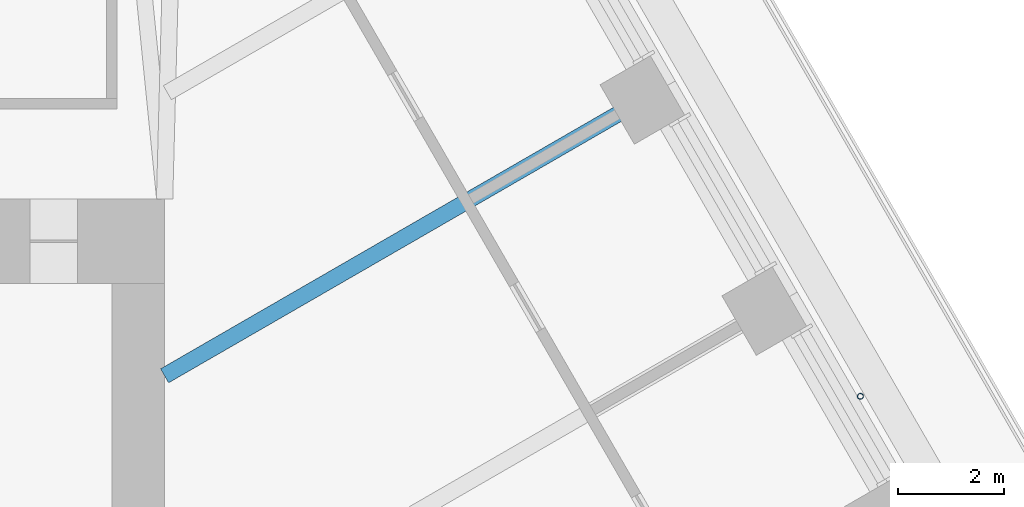
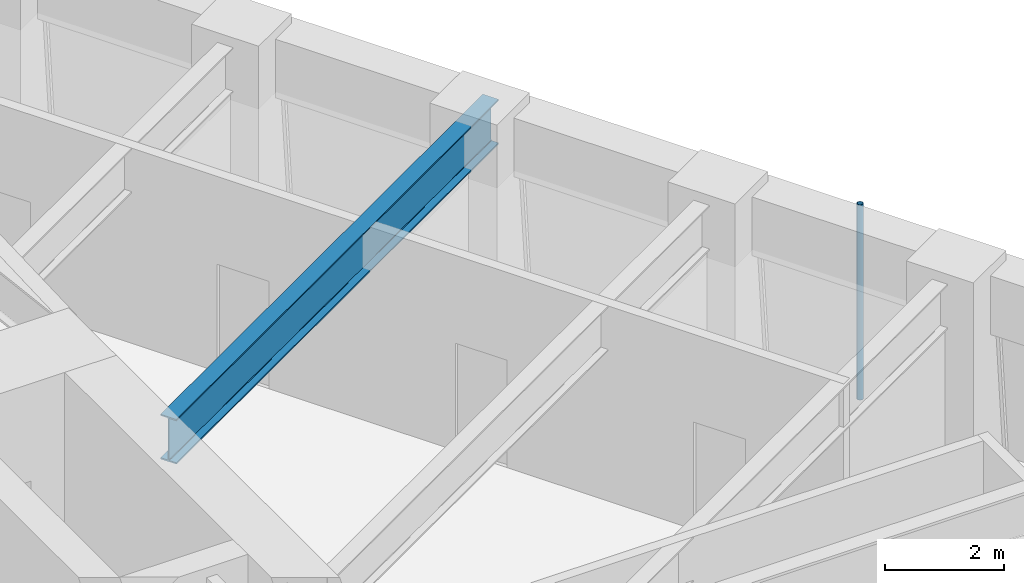
# One storey, part 10 of 20: 1 beam, 1 member.
"""IFC4 building model written with IfcOpenShell, lengths in metres."""

from ifc_helpers import new_model, si_unit, direction, frame, origin, origin_2d, place, context, subcontext, project, spatial, hollow_circle, i_section, extrude, material, material_profile, profile_set, type_object, element, save


model = new_model("IFC4")

# Units and contexts
model_context = context("Model", 3, precision=1e-05, world=origin(), true_north=direction((0.0, 1.0)))
body_context = subcontext(model_context, "Body", "Model", "MODEL_VIEW")
ifc_project = project(units=[si_unit("LENGTHUNIT", "METRE"), si_unit("AREAUNIT", "SQUARE_METRE"), si_unit("VOLUMEUNIT", "CUBIC_METRE"), si_unit("PLANEANGLEUNIT", "RADIAN"), si_unit("MASSUNIT", "GRAM", prefix="KILO")], contexts=[model_context])

# Site, building, storey
site_placement = place(None, origin())
site = spatial("IfcSite", under=ifc_project, at=site_placement, CompositionType="ELEMENT")
building_placement = place(site_placement, origin())
building = spatial("IfcBuilding", under=site, at=building_placement, Name="Tarfa Lantern Tower", CompositionType="ELEMENT")
storey_placement = place(building_placement, frame((0.0, 0.0, 236.5)))
storey = spatial("IfcBuildingStorey", under=building, at=storey_placement, Name="L53", CompositionType="ELEMENT", Elevation=236.5)

# Member
ifc_material_1 = material(Name="Steel S355", Category="steel")
ifc_material_profile_1 = material_profile(ifc_material_1, hollow_circle(Radius=0.05712890625, WallThickness=0.00634765625, at=origin_2d()), Name="CHS114.3x6.3")
ifc_profile_set_1 = profile_set([ifc_material_profile_1], Name="Steel S355")
member_type = type_object("IfcMemberType", Name="TR1 GREEN WALL TRELLIS CHS114.3x6.3", PredefinedType="USERDEFINED", material=ifc_profile_set_1)
member_placement = place(storey_placement, frame((28.682861328125, 8.56005859375, 0.0), z_axis=(0.0, 0.0, 1.0), x_axis=(1.0, 0.0, 0.0)))
element("IfcMember", 1, at=member_placement, inside=storey, type_object=member_type, Name="Trellis post NE 1", ObjectType="TRELLIS", PredefinedType="USERDEFINED", context=body_context, shape_type="SweptSolid", body=[
    extrude(hollow_circle(Radius=0.05712890625, WallThickness=0.00634765625, at=origin_2d()), origin(), (0.0, 0.0, 1.0), 4.0),
])

# Beam
ifc_material_2 = material(Name="Steel S460M", Category="steel")
ifc_material_profile_2 = material_profile(ifc_material_2, i_section(OverallWidth=0.305419921875, OverallDepth=0.91845703125, WebThickness=0.017333984375, FlangeThickness=0.02783203125, FilletRadius=0.01904296875, at=origin_2d()), Name="UB914x305x253")
ifc_profile_set_2 = profile_set([ifc_material_profile_2], Name="Steel S460M")
beam_type = type_object("IfcBeamType", Name="UB914x305x253", PredefinedType="BEAM", material=ifc_profile_set_2)
beam_placement = place(storey_placement, frame((24.872314453125, 14.360107421875, 3.540771484375), z_axis=(-0.8660244219, -0.500001700669, 0.0), x_axis=(0.500001700669, -0.8660244219, 0.0)))
element("IfcBeam", 2, at=beam_placement, inside=storey, type_object=beam_type, Name="Floor beam NE3", PredefinedType="BEAM", context=body_context, shape_type="SweptSolid", body=[
    extrude(i_section(OverallWidth=0.305419921875, OverallDepth=0.91845703125, WebThickness=0.017333984375, FlangeThickness=0.02783203125, FilletRadius=0.01904296875, at=origin_2d()), origin(), (0.0, 0.0, 1.0), 10.822265625),
])

save(model, "model.ifc")
